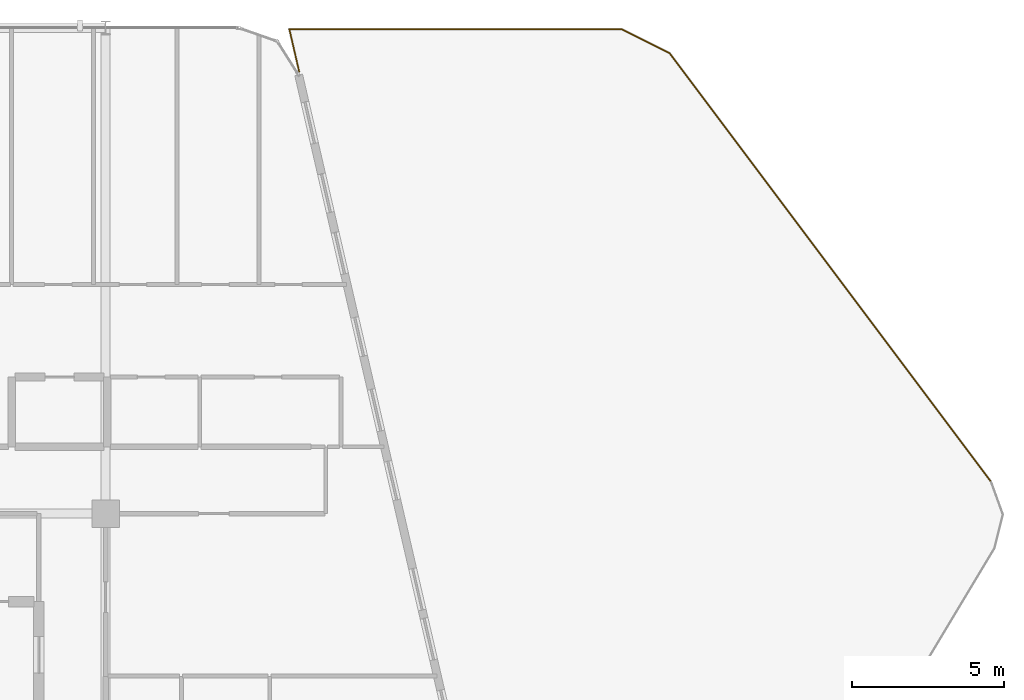
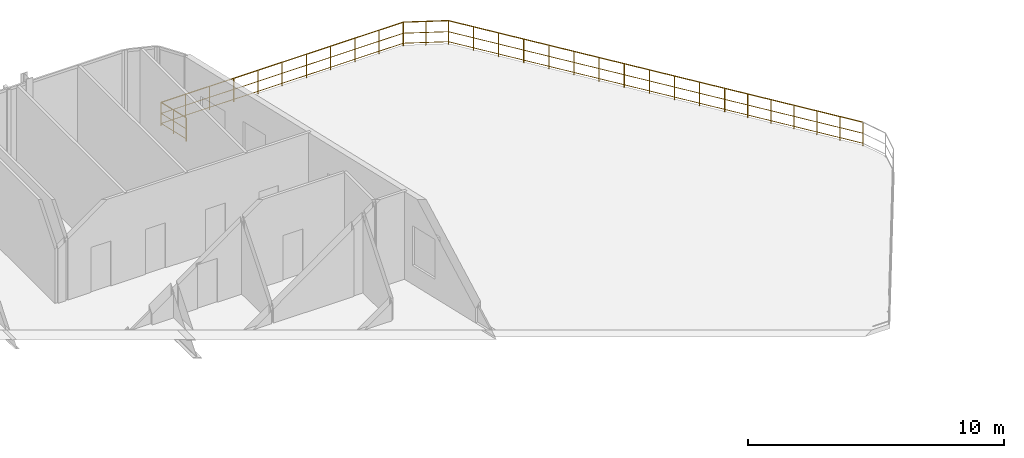
# One storey, part 28 of 28: 5 railings.
"""IFC4 building model written with IfcOpenShell, lengths in metres."""

from ifc_helpers import new_model, si_unit, direction, frame, origin, origin_2d, place, context, subcontext, project, spatial, circle, extrude, material, layer, layer_set, type_object, element, save


model = new_model("IFC4")

# Units and contexts
model_context = context("Model", 3, precision=1e-05, world=origin(), true_north=direction((0.0, 1.0)))
body_context = subcontext(model_context, "Body", "Model", "MODEL_VIEW")
ifc_project = project(units=[si_unit("LENGTHUNIT", "METRE"), si_unit("AREAUNIT", "SQUARE_METRE"), si_unit("VOLUMEUNIT", "CUBIC_METRE"), si_unit("PLANEANGLEUNIT", "RADIAN"), si_unit("MASSUNIT", "GRAM", prefix="KILO")], contexts=[model_context])

# Site, building, storey
site_placement = place(None, origin())
site = spatial("IfcSite", under=ifc_project, at=site_placement, CompositionType="ELEMENT")
building_placement = place(site_placement, origin())
building = spatial("IfcBuilding", under=site, at=building_placement, Name="Keshet Zoharim Tower", CompositionType="ELEMENT")
storey_placement = place(building_placement, frame((0.0, 0.0, 164.60009765625)))
storey = spatial("IfcBuildingStorey", under=building, at=storey_placement, Name="L40", CompositionType="ELEMENT", Elevation=164.60009765625)

# Railings
ifc_material = material(Name="Steel S355", Category="steel")
ifc_layer = layer(ifc_material, 0.070068359375)
ifc_layer_set = layer_set([ifc_layer], Name="Steel S355")
railing_type = type_object("IfcRailingType", Name="RL-TER-115", PredefinedType="GUARDRAIL", material=ifc_layer_set)
railing_1_placement = place(storey_placement, frame((39.375, 52.4541015625, 0.0)))
element("IfcRailing", 1, at=railing_1_placement, inside=storey, type_object=railing_type, Name="L40 Terrace Perimeter Guardrail 01", PredefinedType="GUARDRAIL", context=body_context, shape_type="SweptSolid", body=[
    extrude(circle(Radius=0.02392578125, at=origin_2d()), frame((0.0, 0.0, 1.1259765625), z_axis=(-0.225180749483, 0.974317006966, 0.0), x_axis=(-0.974317006966, -0.225180749483, 0.0)), (0.0, 0.0, 1.0), 1.443115234375),
    extrude(circle(Radius=0.01611328125, at=origin_2d()), frame((0.0, 0.0, 0.597900390625), z_axis=(-0.225180749483, 0.974317006966, 0.0), x_axis=(-0.974317006966, -0.225180749483, 0.0)), (0.0, 0.0, 1.0), 1.443115234375),
    extrude(circle(Radius=0.01611328125, at=origin_2d()), frame((0.0, 0.0, 0.1201171875), z_axis=(-0.225180749483, 0.974317006966, 0.0), x_axis=(-0.974317006966, -0.225180749483, 0.0)), (0.0, 0.0, 1.0), 1.443115234375),
    extrude(circle(Radius=0.02099609375, at=origin_2d()), origin(), (0.0, 0.0, 1.0), 1.101806640625),
    extrude(circle(Radius=0.02099609375, at=origin_2d()), frame((-0.16259765625, 0.703125, 0.0)), (0.0, 0.0, 1.0), 1.101806640625),
    extrude(circle(Radius=0.02099609375, at=origin_2d()), frame((-0.324951171875, 1.406005859375, 0.0)), (0.0, 0.0, 1.0), 1.101806640625),
])
railing_2_placement = place(storey_placement, frame((39.050048828125, 53.860107421875, 0.0)))
element("IfcRailing", 2, at=railing_2_placement, inside=storey, type_object=railing_type, Name="L40 Terrace Perimeter Guardrail 02", PredefinedType="GUARDRAIL", context=body_context, shape_type="SweptSolid", body=[
    extrude(circle(Radius=0.02392578125, at=origin_2d()), frame((0.0, 0.0, 1.1259765625), z_axis=(1.0, 0.0, 0.0), x_axis=(0.0, 1.0, 0.0)), (0.0, 0.0, 1.0), 10.94091796875),
    extrude(circle(Radius=0.01611328125, at=origin_2d()), frame((0.0, 0.0, 0.597900390625), z_axis=(1.0, 0.0, 0.0), x_axis=(0.0, 1.0, 0.0)), (0.0, 0.0, 1.0), 10.94091796875),
    extrude(circle(Radius=0.01611328125, at=origin_2d()), frame((0.0, 0.0, 0.1201171875), z_axis=(1.0, 0.0, 0.0), x_axis=(0.0, 1.0, 0.0)), (0.0, 0.0, 1.0), 10.94091796875),
    extrude(circle(Radius=0.02099609375, at=origin_2d()), origin(), (0.0, 0.0, 1.0), 1.101806640625),
    extrude(circle(Radius=0.02099609375, at=origin_2d()), frame((1.093994140625, 0.0, 0.0)), (0.0, 0.0, 1.0), 1.101806640625),
    extrude(circle(Radius=0.02099609375, at=origin_2d()), frame((2.188232421875, 0.0, 0.0)), (0.0, 0.0, 1.0), 1.101806640625),
    extrude(circle(Radius=0.02099609375, at=origin_2d()), frame((3.2822265625, 0.0, 0.0)), (0.0, 0.0, 1.0), 1.101806640625),
    extrude(circle(Radius=0.02099609375, at=origin_2d()), frame((4.37646484375, 0.0, 0.0)), (0.0, 0.0, 1.0), 1.101806640625),
    extrude(circle(Radius=0.02099609375, at=origin_2d()), frame((5.470458984375, 0.0, 0.0)), (0.0, 0.0, 1.0), 1.101806640625),
    extrude(circle(Radius=0.02099609375, at=origin_2d()), frame((6.564453125, 0.0, 0.0)), (0.0, 0.0, 1.0), 1.101806640625),
    extrude(circle(Radius=0.02099609375, at=origin_2d()), frame((7.65869140625, 0.0, 0.0)), (0.0, 0.0, 1.0), 1.101806640625),
    extrude(circle(Radius=0.02099609375, at=origin_2d()), frame((8.752685546875, 0.0, 0.0)), (0.0, 0.0, 1.0), 1.101806640625),
    extrude(circle(Radius=0.02099609375, at=origin_2d()), frame((9.846923828125, 0.0, 0.0)), (0.0, 0.0, 1.0), 1.101806640625),
    extrude(circle(Radius=0.02099609375, at=origin_2d()), frame((10.94091796875, 0.0, 0.0)), (0.0, 0.0, 1.0), 1.101806640625),
])
railing_3_placement = place(storey_placement, frame((49.990966796875, 53.860107421875, 0.0)))
element("IfcRailing", 3, at=railing_3_placement, inside=storey, type_object=railing_type, Name="L40 Terrace Perimeter Guardrail 03", PredefinedType="GUARDRAIL", context=body_context, shape_type="SweptSolid", body=[
    extrude(circle(Radius=0.02392578125, at=origin_2d()), frame((0.0, 0.0, 1.1259765625), z_axis=(0.894316822403, -0.447434264632, 0.0), x_axis=(0.447434264632, 0.894316822403, 0.0)), (0.0, 0.0, 1.0), 1.77001953125),
    extrude(circle(Radius=0.01611328125, at=origin_2d()), frame((0.0, 0.0, 0.597900390625), z_axis=(0.894316822403, -0.447434264632, 0.0), x_axis=(0.447434264632, 0.894316822403, 0.0)), (0.0, 0.0, 1.0), 1.77001953125),
    extrude(circle(Radius=0.01611328125, at=origin_2d()), frame((0.0, 0.0, 0.1201171875), z_axis=(0.894316822403, -0.447434264632, 0.0), x_axis=(0.447434264632, 0.894316822403, 0.0)), (0.0, 0.0, 1.0), 1.77001953125),
    extrude(circle(Radius=0.02099609375, at=origin_2d()), origin(), (0.0, 0.0, 1.0), 1.101806640625),
    extrude(circle(Radius=0.02099609375, at=origin_2d()), frame((0.79150390625, -0.39599609375, 0.0)), (0.0, 0.0, 1.0), 1.101806640625),
    extrude(circle(Radius=0.02099609375, at=origin_2d()), frame((1.5830078125, -0.7919921875, 0.0)), (0.0, 0.0, 1.0), 1.101806640625),
])
railing_4_placement = place(storey_placement, frame((51.573974609375, 53.068115234375, 0.0)))
element("IfcRailing", 4, at=railing_4_placement, inside=storey, type_object=railing_type, Name="L40 Terrace Perimeter Guardrail 04", PredefinedType="GUARDRAIL", context=body_context, shape_type="SweptSolid", body=[
    extrude(circle(Radius=0.02392578125, at=origin_2d()), frame((0.0, 0.0, 1.1259765625), z_axis=(0.599986713474, -0.800009964722, 0.0), x_axis=(0.800009964722, 0.599986713474, 0.0)), (0.0, 0.0, 1.0), 11.760009765625),
    extrude(circle(Radius=0.01611328125, at=origin_2d()), frame((0.0, 0.0, 0.597900390625), z_axis=(0.599986713474, -0.800009964722, 0.0), x_axis=(0.800009964722, 0.599986713474, 0.0)), (0.0, 0.0, 1.0), 11.760009765625),
    extrude(circle(Radius=0.01611328125, at=origin_2d()), frame((0.0, 0.0, 0.1201171875), z_axis=(0.599986713474, -0.800009964722, 0.0), x_axis=(0.800009964722, 0.599986713474, 0.0)), (0.0, 0.0, 1.0), 11.760009765625),
    extrude(circle(Radius=0.02099609375, at=origin_2d()), origin(), (0.0, 0.0, 1.0), 1.101806640625),
    extrude(circle(Radius=0.02099609375, at=origin_2d()), frame((0.641357421875, -0.855224609375, 0.0)), (0.0, 0.0, 1.0), 1.101806640625),
    extrude(circle(Radius=0.02099609375, at=origin_2d()), frame((1.282958984375, -1.710693359375, 0.0)), (0.0, 0.0, 1.0), 1.101806640625),
    extrude(circle(Radius=0.02099609375, at=origin_2d()), frame((1.92431640625, -2.56591796875, 0.0)), (0.0, 0.0, 1.0), 1.101806640625),
    extrude(circle(Radius=0.02099609375, at=origin_2d()), frame((2.565673828125, -3.421142578125, 0.0)), (0.0, 0.0, 1.0), 1.101806640625),
    extrude(circle(Radius=0.02099609375, at=origin_2d()), frame((3.207275390625, -4.2763671875, 0.0)), (0.0, 0.0, 1.0), 1.101806640625),
    extrude(circle(Radius=0.02099609375, at=origin_2d()), frame((3.8486328125, -5.1318359375, 0.0)), (0.0, 0.0, 1.0), 1.101806640625),
    extrude(circle(Radius=0.02099609375, at=origin_2d()), frame((4.490234375, -5.987060546875, 0.0)), (0.0, 0.0, 1.0), 1.101806640625),
    extrude(circle(Radius=0.02099609375, at=origin_2d()), frame((5.131591796875, -6.84228515625, 0.0)), (0.0, 0.0, 1.0), 1.101806640625),
    extrude(circle(Radius=0.02099609375, at=origin_2d()), frame((5.77294921875, -7.697509765625, 0.0)), (0.0, 0.0, 1.0), 1.101806640625),
    extrude(circle(Radius=0.02099609375, at=origin_2d()), frame((6.41455078125, -8.552978515625, 0.0)), (0.0, 0.0, 1.0), 1.101806640625),
    extrude(circle(Radius=0.02099609375, at=origin_2d()), frame((7.055908203125, -9.408203125, 0.0)), (0.0, 0.0, 1.0), 1.101806640625),
])
railing_5_placement = place(storey_placement, frame((58.6298828125, 43.659912109375, 0.0)))
element("IfcRailing", 5, at=railing_5_placement, inside=storey, type_object=railing_type, Name="L40 Terrace Perimeter Guardrail 05", PredefinedType="GUARDRAIL", context=body_context, shape_type="SweptSolid", body=[
    extrude(circle(Radius=0.02392578125, at=origin_2d()), frame((0.0, 0.0, 1.1259765625), z_axis=(0.599993355075, -0.800004983651, 0.0), x_axis=(0.800004983651, 0.599993355075, 0.0)), (0.0, 0.0, 1.0), 5.878662109375),
    extrude(circle(Radius=0.01611328125, at=origin_2d()), frame((0.0, 0.0, 0.597900390625), z_axis=(0.599993355075, -0.800004983651, 0.0), x_axis=(0.800004983651, 0.599993355075, 0.0)), (0.0, 0.0, 1.0), 5.878662109375),
    extrude(circle(Radius=0.01611328125, at=origin_2d()), frame((0.0, 0.0, 0.1201171875), z_axis=(0.599993355075, -0.800004983651, 0.0), x_axis=(0.800004983651, 0.599993355075, 0.0)), (0.0, 0.0, 1.0), 5.878662109375),
    extrude(circle(Radius=0.02099609375, at=origin_2d()), origin(), (0.0, 0.0, 1.0), 1.101806640625),
    extrude(circle(Radius=0.02099609375, at=origin_2d()), frame((0.587890625, -0.78369140625, 0.0)), (0.0, 0.0, 1.0), 1.101806640625),
    extrude(circle(Radius=0.02099609375, at=origin_2d()), frame((1.17578125, -1.567626953125, 0.0)), (0.0, 0.0, 1.0), 1.101806640625),
    extrude(circle(Radius=0.02099609375, at=origin_2d()), frame((1.763671875, -2.3515625, 0.0)), (0.0, 0.0, 1.0), 1.101806640625),
    extrude(circle(Radius=0.02099609375, at=origin_2d()), frame((2.351318359375, -3.13525390625, 0.0)), (0.0, 0.0, 1.0), 1.101806640625),
    extrude(circle(Radius=0.02099609375, at=origin_2d()), frame((2.939208984375, -3.9189453125, 0.0)), (0.0, 0.0, 1.0), 1.101806640625),
    extrude(circle(Radius=0.02099609375, at=origin_2d()), frame((3.527099609375, -4.702880859375, 0.0)), (0.0, 0.0, 1.0), 1.101806640625),
])

save(model, "model.ifc")
